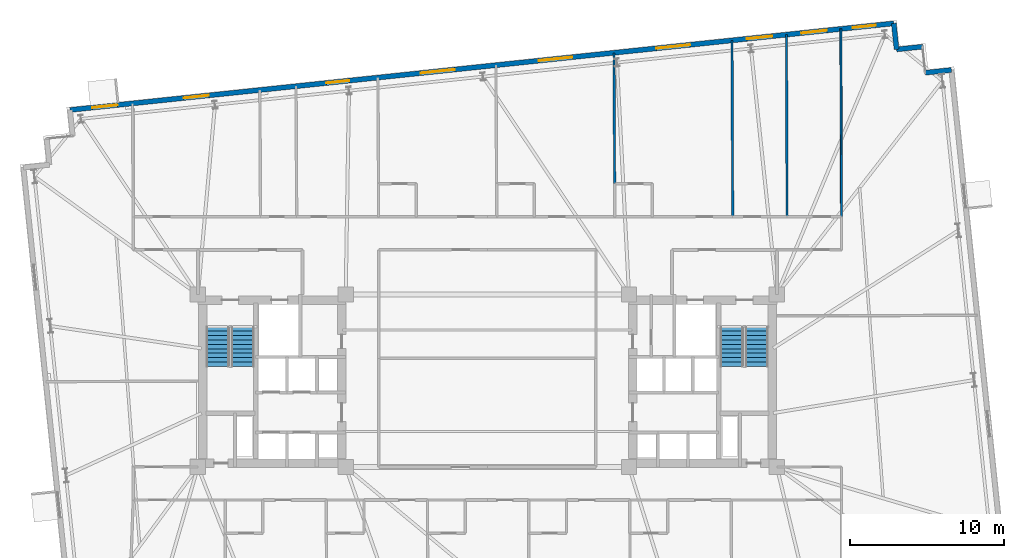
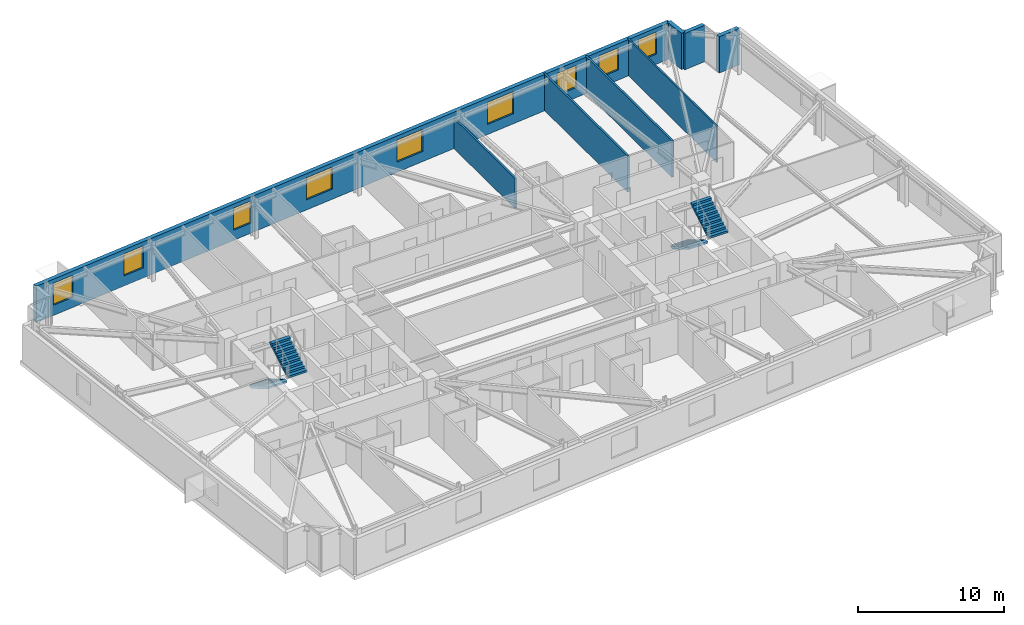
# One storey, part 16 of 19: 9 windows, 8 walls, 4 stair flights, 9 openings, 2 elements without a shape of their own.
"""IFC4 building model written with IfcOpenShell, lengths in metres."""

from ifc_helpers import new_model, si_unit, direction, frame, frame_2d, origin, place, context, subcontext, project, spatial, polyline, rectangle, outline, extrude, material, layer, layer_set, type_object, element, fill, aggregate, save


model = new_model("IFC4")

# Units and contexts
model_context = context("Model", 3, precision=1e-05, world=origin(), true_north=direction((0.0, 1.0)))
body_context = subcontext(model_context, "Body", "Model", "MODEL_VIEW")
ifc_project = project(units=[si_unit("LENGTHUNIT", "METRE"), si_unit("AREAUNIT", "SQUARE_METRE"), si_unit("VOLUMEUNIT", "CUBIC_METRE"), si_unit("PLANEANGLEUNIT", "RADIAN"), si_unit("MASSUNIT", "GRAM", prefix="KILO")], contexts=[model_context])

# Site, building, storey
site_placement = place(None, origin())
site = spatial("IfcSite", under=ifc_project, at=site_placement, CompositionType="ELEMENT")
building_placement = place(site_placement, origin())
building = spatial("IfcBuilding", under=site, at=building_placement, Name="Qobustan Lattice House", CompositionType="ELEMENT")
storey_placement = place(building_placement, frame((0.0, 0.0, 115.85009765625)))
storey = spatial("IfcBuildingStorey", under=building, at=storey_placement, Name="L32", CompositionType="ELEMENT", Elevation=115.85009765625)

# Wall, openings, windows
ifc_material_1 = material(Name="Precast concrete C40/50", Category="concrete")
ifc_layer_1 = layer(ifc_material_1, 0.320068359375)
ifc_layer_set_1 = layer_set([ifc_layer_1], Name="Precast concrete C40/50")
wall_type_1 = type_object("IfcWallType", Name="WAL-EXT-STONE-320", PredefinedType="SOLIDWALL", material=ifc_layer_set_1)
wall_1_placement = place(storey_placement, frame((-27.107421875, 17.585693359375, 0.0), z_axis=(0.0, 0.0, 1.0), x_axis=(0.994521628355, 0.104531003701, 0.0)))
wall_1 = element("IfcWall", 1, at=wall_1_placement, inside=storey, type_object=wall_type_1, Name="L32 exterior limestone-clad wall 10", PredefinedType="SOLIDWALL", context=body_context, shape_type="SweptSolid", body=[
    extrude(rectangle(XDim=53.800048828125, YDim=0.320068359375, at=frame_2d((26.89990234375, 0.0))), origin(), (0.0, 0.0, 1.0), 3.044921875),
])
opening_1_placement = place(wall_1_placement, frame((1.456787109375, 0.0, 0.85009765625)))
opening_1 = element("IfcOpeningElement", 2, at=opening_1_placement, cuts=wall_1, Name="Opening WN-09", PredefinedType="OPENING", context=body_context, shape_type="SweptSolid", body=[
    extrude(rectangle(XDim=1.64990234375, YDim=1.85009765625, at=frame_2d((0.824951171875, 0.925048828125))), frame((0.0, 0.169921875, 0.0), z_axis=(0.0, -1.0, 0.0), x_axis=(1.0, 0.0, 0.0)), (0.0, 0.0, 1.0), 0.340087890625),
])
opening_2_placement = place(wall_1_placement, frame((7.421142578125, 0.0, 0.85009765625)))
opening_2 = element("IfcOpeningElement", 3, at=opening_2_placement, cuts=wall_1, Name="Opening WN-09", PredefinedType="OPENING", context=body_context, shape_type="SweptSolid", body=[
    extrude(rectangle(XDim=1.64990234375, YDim=1.85009765625, at=frame_2d((0.824951171875, 0.925048828125))), frame((0.0, 0.169921875, 0.0), z_axis=(0.0, -1.0, 0.0), x_axis=(1.0, 0.0, 0.0)), (0.0, 0.0, 1.0), 0.340087890625),
])
opening_3_placement = place(wall_1_placement, frame((16.742919921875, 0.0, 0.85009765625)))
opening_3 = element("IfcOpeningElement", 4, at=opening_3_placement, cuts=wall_1, Name="Opening WN-01", PredefinedType="OPENING", context=body_context, shape_type="SweptSolid", body=[
    extrude(rectangle(XDim=1.5, YDim=1.85009765625, at=frame_2d((0.75, 0.925048828125))), frame((0.0, 0.169921875, 0.0), z_axis=(0.0, -1.0, 0.0), x_axis=(1.0, 0.0, 0.0)), (0.0, 0.0, 1.0), 0.340087890625),
])
opening_4_placement = place(wall_1_placement, frame((22.91796875, 0.0, 0.85009765625)))
opening_4 = element("IfcOpeningElement", 5, at=opening_4_placement, cuts=wall_1, Name="Opening WN-03", PredefinedType="OPENING", context=body_context, shape_type="SweptSolid", body=[
    extrude(rectangle(XDim=2.199951171875, YDim=1.85009765625, at=frame_2d((1.10009765625, 0.925048828125))), frame((0.0, 0.169921875, 0.0), z_axis=(0.0, -1.0, 0.0), x_axis=(1.0, 0.0, 0.0)), (0.0, 0.0, 1.0), 0.340087890625),
])
opening_5_placement = place(wall_1_placement, frame((30.603515625, 0.0, 0.85009765625)))
opening_5 = element("IfcOpeningElement", 6, at=opening_5_placement, cuts=wall_1, Name="Opening WN-03", PredefinedType="OPENING", context=body_context, shape_type="SweptSolid", body=[
    extrude(rectangle(XDim=2.199951171875, YDim=1.85009765625, at=frame_2d((1.10009765625, 0.925048828125))), frame((0.0, 0.169921875, 0.0), z_axis=(0.0, -1.0, 0.0), x_axis=(1.0, 0.0, 0.0)), (0.0, 0.0, 1.0), 0.340087890625),
])
opening_6_placement = place(wall_1_placement, frame((38.289306640625, 0.0, 0.85009765625)))
opening_6 = element("IfcOpeningElement", 7, at=opening_6_placement, cuts=wall_1, Name="Opening WN-03", PredefinedType="OPENING", context=body_context, shape_type="SweptSolid", body=[
    extrude(rectangle(XDim=2.199951171875, YDim=1.85009765625, at=frame_2d((1.10009765625, 0.925048828125))), frame((0.0, 0.169921875, 0.0), z_axis=(0.0, -1.0, 0.0), x_axis=(1.0, 0.0, 0.0)), (0.0, 0.0, 1.0), 0.340087890625),
])
opening_7_placement = place(wall_1_placement, frame((44.20849609375, 0.0, 0.85009765625)))
opening_7 = element("IfcOpeningElement", 8, at=opening_7_placement, cuts=wall_1, Name="Opening WN-09", PredefinedType="OPENING", context=body_context, shape_type="SweptSolid", body=[
    extrude(rectangle(XDim=1.64990234375, YDim=1.85009765625, at=frame_2d((0.824951171875, 0.925048828125))), frame((0.0, 0.169921875, 0.0), z_axis=(0.0, -1.0, 0.0), x_axis=(1.0, 0.0, 0.0)), (0.0, 0.0, 1.0), 0.340087890625),
])
opening_8_placement = place(wall_1_placement, frame((47.771240234375, 0.0, 0.85009765625)))
opening_8 = element("IfcOpeningElement", 9, at=opening_8_placement, cuts=wall_1, Name="Opening WN-09", PredefinedType="OPENING", context=body_context, shape_type="SweptSolid", body=[
    extrude(rectangle(XDim=1.64990234375, YDim=1.85009765625, at=frame_2d((0.824951171875, 0.925048828125))), frame((0.0, 0.169921875, 0.0), z_axis=(0.0, -1.0, 0.0), x_axis=(1.0, 0.0, 0.0)), (0.0, 0.0, 1.0), 0.340087890625),
])
opening_9_placement = place(wall_1_placement, frame((51.128662109375, 0.0, 0.85009765625)))
opening_9 = element("IfcOpeningElement", 10, at=opening_9_placement, cuts=wall_1, Name="Opening WN-01", PredefinedType="OPENING", context=body_context, shape_type="SweptSolid", body=[
    extrude(rectangle(XDim=1.5, YDim=1.85009765625, at=frame_2d((0.75, 0.925048828125))), frame((0.0, 0.169921875, 0.0), z_axis=(0.0, -1.0, 0.0), x_axis=(1.0, 0.0, 0.0)), (0.0, 0.0, 1.0), 0.340087890625),
])
ifc_material_2 = material(Name="Double-glazed low-E aluminium window", Category="aluminium")
window_type_1 = type_object("IfcWindowType", Name="WIN-BED-1500x1850", PartitioningType="SINGLE_PANEL", PredefinedType="WINDOW", material=ifc_material_2)
window_1_placement = place(opening_3_placement, origin())
window_1 = element("IfcWindow", 11, at=window_1_placement, inside=storey, type_object=window_type_1, Name="L32 Laundry utility room window", OverallHeight=1.85009765625, OverallWidth=1.5, PartitioningType="SINGLE_PANEL", PredefinedType="WINDOW", context=body_context, shape_type="SweptSolid", body=[
    extrude(rectangle(XDim=1.5, YDim=1.85009765625, at=frame_2d((0.75, 0.925048828125))), frame((0.0, 0.030029296875, 0.0), z_axis=(0.0, -1.0, 0.0), x_axis=(1.0, 0.0, 0.0)), (0.0, 0.0, 1.0), 0.06005859375),
])
fill(opening_3, window_1)
window_2_placement = place(opening_9_placement, origin())
window_2 = element("IfcWindow", 12, at=window_2_placement, inside=storey, type_object=window_type_1, Name="L32 Music and podcast studio window", OverallHeight=1.85009765625, OverallWidth=1.5, PartitioningType="SINGLE_PANEL", PredefinedType="WINDOW", context=body_context, shape_type="SweptSolid", body=[
    extrude(rectangle(XDim=1.5, YDim=1.85009765625, at=frame_2d((0.75, 0.925048828125))), frame((0.0, 0.030029296875, 0.0), z_axis=(0.0, -1.0, 0.0), x_axis=(1.0, 0.0, 0.0)), (0.0, 0.0, 1.0), 0.06005859375),
])
fill(opening_9, window_2)
ifc_material_3 = material(Name="Double-glazed low-E aluminium window", Category="aluminium")
window_type_2 = type_object("IfcWindowType", Name="WIN-STU-1650x1850", PartitioningType="SINGLE_PANEL", PredefinedType="WINDOW", material=ifc_material_3)
window_3_placement = place(opening_1_placement, origin())
window_3 = element("IfcWindow", 13, at=window_3_placement, inside=storey, type_object=window_type_2, Name="L32 Collaborative tutorial room window", OverallHeight=1.85009765625, OverallWidth=1.64990234375, PartitioningType="SINGLE_PANEL", PredefinedType="WINDOW", context=body_context, shape_type="SweptSolid", body=[
    extrude(rectangle(XDim=1.64990234375, YDim=1.85009765625, at=frame_2d((0.824951171875, 0.925048828125))), frame((0.0, 0.030029296875, 0.0), z_axis=(0.0, -1.0, 0.0), x_axis=(1.0, 0.0, 0.0)), (0.0, 0.0, 1.0), 0.06005859375),
])
fill(opening_1, window_3)
window_4_placement = place(opening_2_placement, origin())
window_4 = element("IfcWindow", 14, at=window_4_placement, inside=storey, type_object=window_type_2, Name="L32 Focus study room N1 window", OverallHeight=1.85009765625, OverallWidth=1.64990234375, PartitioningType="SINGLE_PANEL", PredefinedType="WINDOW", context=body_context, shape_type="SweptSolid", body=[
    extrude(rectangle(XDim=1.64990234375, YDim=1.85009765625, at=frame_2d((0.824951171875, 0.925048828125))), frame((0.0, 0.030029296875, 0.0), z_axis=(0.0, -1.0, 0.0), x_axis=(1.0, 0.0, 0.0)), (0.0, 0.0, 1.0), 0.06005859375),
])
fill(opening_2, window_4)
window_5_placement = place(opening_7_placement, origin())
window_5 = element("IfcWindow", 15, at=window_5_placement, inside=storey, type_object=window_type_2, Name="L32 Focus study room N6A window", OverallHeight=1.85009765625, OverallWidth=1.64990234375, PartitioningType="SINGLE_PANEL", PredefinedType="WINDOW", context=body_context, shape_type="SweptSolid", body=[
    extrude(rectangle(XDim=1.64990234375, YDim=1.85009765625, at=frame_2d((0.824951171875, 0.925048828125))), frame((0.0, 0.030029296875, 0.0), z_axis=(0.0, -1.0, 0.0), x_axis=(1.0, 0.0, 0.0)), (0.0, 0.0, 1.0), 0.06005859375),
])
fill(opening_7, window_5)
window_6_placement = place(opening_8_placement, origin())
window_6 = element("IfcWindow", 16, at=window_6_placement, inside=storey, type_object=window_type_2, Name="L32 Focus study room N6B window", OverallHeight=1.85009765625, OverallWidth=1.64990234375, PartitioningType="SINGLE_PANEL", PredefinedType="WINDOW", context=body_context, shape_type="SweptSolid", body=[
    extrude(rectangle(XDim=1.64990234375, YDim=1.85009765625, at=frame_2d((0.824951171875, 0.925048828125))), frame((0.0, 0.030029296875, 0.0), z_axis=(0.0, -1.0, 0.0), x_axis=(1.0, 0.0, 0.0)), (0.0, 0.0, 1.0), 0.06005859375),
])
fill(opening_8, window_6)
ifc_material_4 = material(Name="Double-glazed low-E aluminium window", Category="aluminium")
window_type_3 = type_object("IfcWindowType", Name="WIN-WIDE-2200x1850", PartitioningType="SINGLE_PANEL", PredefinedType="WINDOW", material=ifc_material_4)
window_7_placement = place(opening_4_placement, origin())
window_7 = element("IfcWindow", 17, at=window_7_placement, inside=storey, type_object=window_type_3, Name="L32 Kitchenette and studio apartment L32-N3 window", OverallHeight=1.85009765625, OverallWidth=2.199951171875, PartitioningType="SINGLE_PANEL", PredefinedType="WINDOW", context=body_context, shape_type="SweptSolid", body=[
    extrude(rectangle(XDim=2.199951171875, YDim=1.85009765625, at=frame_2d((1.10009765625, 0.925048828125))), frame((0.0, 0.030029296875, 0.0), z_axis=(0.0, -1.0, 0.0), x_axis=(1.0, 0.0, 0.0)), (0.0, 0.0, 1.0), 0.06005859375),
])
fill(opening_4, window_7)
window_8_placement = place(opening_5_placement, origin())
window_8 = element("IfcWindow", 18, at=window_8_placement, inside=storey, type_object=window_type_3, Name="L32 Kitchenette and studio apartment L32-N4 window", OverallHeight=1.85009765625, OverallWidth=2.199951171875, PartitioningType="SINGLE_PANEL", PredefinedType="WINDOW", context=body_context, shape_type="SweptSolid", body=[
    extrude(rectangle(XDim=2.199951171875, YDim=1.85009765625, at=frame_2d((1.10009765625, 0.925048828125))), frame((0.0, 0.030029296875, 0.0), z_axis=(0.0, -1.0, 0.0), x_axis=(1.0, 0.0, 0.0)), (0.0, 0.0, 1.0), 0.06005859375),
])
fill(opening_5, window_8)
window_9_placement = place(opening_6_placement, origin())
window_9 = element("IfcWindow", 19, at=window_9_placement, inside=storey, type_object=window_type_3, Name="L32 Kitchenette and studio apartment L32-N5 window", OverallHeight=1.85009765625, OverallWidth=2.199951171875, PartitioningType="SINGLE_PANEL", PredefinedType="WINDOW", context=body_context, shape_type="SweptSolid", body=[
    extrude(rectangle(XDim=2.199951171875, YDim=1.85009765625, at=frame_2d((1.10009765625, 0.925048828125))), frame((0.0, 0.030029296875, 0.0), z_axis=(0.0, -1.0, 0.0), x_axis=(1.0, 0.0, 0.0)), (0.0, 0.0, 1.0), 0.06005859375),
])
fill(opening_6, window_9)

# Walls
for number, where, z_axis, x_axis, name in (
    (20, (26.39794921875, 23.20947265625, 0.0), (0.0, 0.0, 1.0), (0.104550220202, -0.994519608382, 0.0), "L32 exterior limestone-clad wall 11"),
    (21, (26.57568359375, 21.518798828125, 0.0), (0.0, 0.0, 1.0), (0.994534530939, 0.104408173862, 0.0), "L32 exterior limestone-clad wall 12"),
    (22, (28.444091796875, 20.005615234375, 0.0), (0.0, 0.0, 1.0), (0.994519608382, 0.104550220202, 0.0), "L32 exterior limestone-clad wall 14"),
):
    element("IfcWall", number, at=place(storey_placement, frame(where, z_axis=z_axis, x_axis=x_axis)), inside=storey, type_object=wall_type_1, Name=name, PredefinedType="SOLIDWALL", context=body_context, shape_type="SweptSolid", body=[
        extrude(rectangle(XDim=1.699951171875, YDim=0.320068359375, at=frame_2d((0.85009765625, 0.0))), origin(), (0.0, 0.0, 1.0), 3.044921875),
    ])
ifc_material_5 = material(Name="Lightweight acoustic stud partition", Category="gypsum")
ifc_layer_2 = layer(ifc_material_5, 0.125)
ifc_layer_set_2 = layer_set([ifc_layer_2], Name="Lightweight acoustic stud partition")
wall_type_2 = type_object("IfcWallType", Name="WAL-PART-125", PredefinedType="PARTITIONING", material=ifc_layer_set_2)
wall_2_placement = place(storey_placement, frame((23.0, 10.64990234375, 0.0), z_axis=(0.0, 0.0, 1.0), x_axis=(-0.0036027147, 0.999993510202, 0.0)))
element("IfcWall", 23, at=wall_2_placement, inside=storey, type_object=wall_type_2, Name="L32 interior partition 82", PredefinedType="PARTITIONING", context=body_context, shape_type="SweptSolid", body=[
    extrude(rectangle(XDim=12.19775390625, YDim=0.125, at=frame_2d((6.098876953125, 0.0))), origin(), (0.0, 0.0, 1.0), 3.044921875),
])
ifc_material_6 = material(Name="Acoustic twin-stud gypsum partition", Category="gypsum")
ifc_layer_3 = layer(ifc_material_6, 0.14990234375)
ifc_layer_set_3 = layer_set([ifc_layer_3], Name="Acoustic twin-stud gypsum partition")
wall_type_3 = type_object("IfcWallType", Name="WAL-PART-150", PredefinedType="PARTITIONING", material=ifc_layer_set_3)
wall_3_placement = place(storey_placement, frame((8.22314453125, 21.299072265625, 0.0), z_axis=(0.0, 0.0, 1.0), x_axis=(0.005170561699, -0.999986632557, 0.0)))
element("IfcWall", 24, at=wall_3_placement, inside=storey, type_object=wall_type_3, Name="L32 interior partition 93", PredefinedType="PARTITIONING", context=body_context, shape_type="SweptSolid", body=[
    extrude(rectangle(XDim=8.4990234375, YDim=0.14990234375, at=frame_2d((4.24951171875, 0.0))), origin(), (0.0, 0.0, 1.0), 2.52978515625),
])
wall_4_placement = place(storey_placement, frame((15.88916015625, 22.104736328125, 0.0), z_axis=(0.0, 0.0, 1.0), x_axis=(0.003836370669, -0.999992641103, 0.0)))
element("IfcWall", 25, at=wall_4_placement, inside=storey, type_object=wall_type_3, Name="L32 interior partition 97", PredefinedType="PARTITIONING", context=body_context, shape_type="SweptSolid", body=[
    extrude(rectangle(XDim=11.454833984375, YDim=0.14990234375, at=frame_2d((5.7275390625, 0.0))), origin(), (0.0, 0.0, 1.0), 3.044921875),
])
wall_5_placement = place(storey_placement, frame((19.422607421875, 22.476318359375, 0.0), z_axis=(0.0, 0.0, 1.0), x_axis=(0.003715834878, -0.999993096262, 0.0)))
element("IfcWall", 26, at=wall_5_placement, inside=storey, type_object=wall_type_3, Name="L32 interior partition 98", PredefinedType="PARTITIONING", context=body_context, shape_type="SweptSolid", body=[
    extrude(rectangle(XDim=11.826416015625, YDim=0.14990234375, at=frame_2d((5.9130859375, 0.0))), origin(), (0.0, 0.0, 1.0), 3.044921875),
])

# Stair, stair flights
ifc_material_7 = material(Name="Concrete C40/50", Category="concrete")
stair_type = type_object("IfcStairType", Name="STR-CORE-DOGLEG", PredefinedType="HALF_TURN_STAIR", material=ifc_material_7)
stair_1_placement = place(storey_placement, origin())
stair_1 = element("IfcStair", 27, at=stair_1_placement, inside=storey, type_object=stair_type, Name="L32 West protected exit stair ST-W1", PredefinedType="HALF_TURN_STAIR")
ifc_material_8 = material(Name="Concrete C40/50", Category="concrete")
stair_flight_type = type_object("IfcStairFlightType", Name="SFL-RC-1500", PredefinedType="STRAIGHT", material=ifc_material_8)
stair_flight_1_placement = place(storey_placement, frame((-17.5, 3.5, 0.0), z_axis=(0.0, 0.0, 1.0), x_axis=(0.0, -1.0, 0.0)))
stair_flight_1 = element("IfcStairFlight", 28, at=stair_flight_1_placement, type_object=stair_flight_type, Name="ST-W1 flight 1", NumberOfRisers=10, NumberOfTreads=9, PredefinedType="STRAIGHT", RiserHeight=0.1675, TreadLength=0.285, context=body_context, shape_type="SweptSolid", body=[
    extrude(outline(polyline([(0.0, 0.0), (0.0, 0.16748046875), (0.284912109375, 0.16748046875), (0.284912109375, 0.3349609375), (0.570068359375, 0.3349609375), (0.570068359375, 0.50244140625), (0.85498046875, 0.50244140625), (0.85498046875, 0.669921875), (1.139892578125, 0.669921875), (1.139892578125, 0.83740234375), (1.425048828125, 0.83740234375), (1.425048828125, 1.0048828125), (1.7099609375, 1.0048828125), (1.7099609375, 1.172607421875), (1.9951171875, 1.172607421875), (1.9951171875, 1.340087890625), (2.280029296875, 1.340087890625), (2.280029296875, 1.507568359375), (2.56494140625, 1.507568359375), (2.56494140625, 1.675048828125), (2.56494140625, 1.333740234375), (0.2958984375, 0.0), (0.0, 0.0)])), frame((0.0, 0.75, 0.0), z_axis=(0.0, -1.0, 0.0), x_axis=(1.0, 0.0, 0.0)), (0.0, 0.0, 1.0), 1.5),
])
stair_flight_2_placement = place(storey_placement, frame((-15.8798828125, 0.93505859375, 1.6748046875), z_axis=(0.0, 0.0, 1.0), x_axis=(0.0, 1.0, 0.0)))
stair_flight_2 = element("IfcStairFlight", 29, at=stair_flight_2_placement, type_object=stair_flight_type, Name="ST-W1 flight 2", NumberOfRisers=10, NumberOfTreads=9, PredefinedType="STRAIGHT", RiserHeight=0.1675, TreadLength=0.285, context=body_context, shape_type="SweptSolid", body=[
    extrude(outline(polyline([(0.0, 0.0), (0.0, 0.16748046875), (0.284912109375, 0.16748046875), (0.284912109375, 0.3349609375), (0.570068359375, 0.3349609375), (0.570068359375, 0.50244140625), (0.85498046875, 0.50244140625), (0.85498046875, 0.669921875), (1.139892578125, 0.669921875), (1.139892578125, 0.83740234375), (1.425048828125, 0.83740234375), (1.425048828125, 1.0048828125), (1.7099609375, 1.0048828125), (1.7099609375, 1.172607421875), (1.9951171875, 1.172607421875), (1.9951171875, 1.340087890625), (2.280029296875, 1.340087890625), (2.280029296875, 1.507568359375), (2.56494140625, 1.507568359375), (2.56494140625, 1.675048828125), (2.56494140625, 1.333740234375), (0.2958984375, 0.0), (0.0, 0.0)])), frame((0.0, 0.75, 0.0), z_axis=(0.0, -1.0, 0.0), x_axis=(1.0, 0.0, 0.0)), (0.0, 0.0, 1.0), 1.5),
])
aggregate(stair_1, [stair_flight_1, stair_flight_2])

stair_2_placement = place(storey_placement, origin())
stair_2 = element("IfcStair", 30, at=stair_2_placement, inside=storey, type_object=stair_type, Name="L32 East protected exit stair ST-E1", PredefinedType="HALF_TURN_STAIR")
stair_flight_3_placement = place(storey_placement, frame((15.8798828125, 3.5, 0.0), z_axis=(0.0, 0.0, 1.0), x_axis=(0.0, -1.0, 0.0)))
stair_flight_3 = element("IfcStairFlight", 31, at=stair_flight_3_placement, type_object=stair_flight_type, Name="ST-E1 flight 1", NumberOfRisers=10, NumberOfTreads=9, PredefinedType="STRAIGHT", RiserHeight=0.1675, TreadLength=0.285, context=body_context, shape_type="SweptSolid", body=[
    extrude(outline(polyline([(0.0, 0.0), (0.0, 0.16748046875), (0.284912109375, 0.16748046875), (0.284912109375, 0.3349609375), (0.570068359375, 0.3349609375), (0.570068359375, 0.50244140625), (0.85498046875, 0.50244140625), (0.85498046875, 0.669921875), (1.139892578125, 0.669921875), (1.139892578125, 0.83740234375), (1.425048828125, 0.83740234375), (1.425048828125, 1.0048828125), (1.7099609375, 1.0048828125), (1.7099609375, 1.172607421875), (1.9951171875, 1.172607421875), (1.9951171875, 1.340087890625), (2.280029296875, 1.340087890625), (2.280029296875, 1.507568359375), (2.56494140625, 1.507568359375), (2.56494140625, 1.675048828125), (2.56494140625, 1.333740234375), (0.2958984375, 0.0), (0.0, 0.0)])), frame((0.0, 0.75, 0.0), z_axis=(0.0, -1.0, 0.0), x_axis=(1.0, 0.0, 0.0)), (0.0, 0.0, 1.0), 1.5),
])
stair_flight_4_placement = place(storey_placement, frame((17.5, 0.93505859375, 1.6748046875), z_axis=(0.0, 0.0, 1.0), x_axis=(0.0, 1.0, 0.0)))
stair_flight_4 = element("IfcStairFlight", 32, at=stair_flight_4_placement, type_object=stair_flight_type, Name="ST-E1 flight 2", NumberOfRisers=10, NumberOfTreads=9, PredefinedType="STRAIGHT", RiserHeight=0.1675, TreadLength=0.285, context=body_context, shape_type="SweptSolid", body=[
    extrude(outline(polyline([(0.0, 0.0), (0.0, 0.16748046875), (0.284912109375, 0.16748046875), (0.284912109375, 0.3349609375), (0.570068359375, 0.3349609375), (0.570068359375, 0.50244140625), (0.85498046875, 0.50244140625), (0.85498046875, 0.669921875), (1.139892578125, 0.669921875), (1.139892578125, 0.83740234375), (1.425048828125, 0.83740234375), (1.425048828125, 1.0048828125), (1.7099609375, 1.0048828125), (1.7099609375, 1.172607421875), (1.9951171875, 1.172607421875), (1.9951171875, 1.340087890625), (2.280029296875, 1.340087890625), (2.280029296875, 1.507568359375), (2.56494140625, 1.507568359375), (2.56494140625, 1.675048828125), (2.56494140625, 1.333740234375), (0.2958984375, 0.0), (0.0, 0.0)])), frame((0.0, 0.75, 0.0), z_axis=(0.0, -1.0, 0.0), x_axis=(1.0, 0.0, 0.0)), (0.0, 0.0, 1.0), 1.5),
])
aggregate(stair_2, [stair_flight_3, stair_flight_4])

save(model, "model.ifc")
